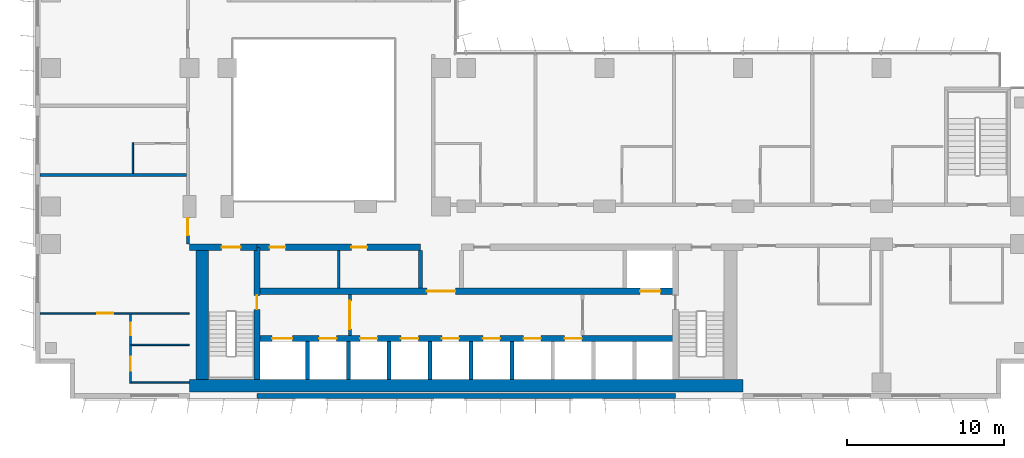
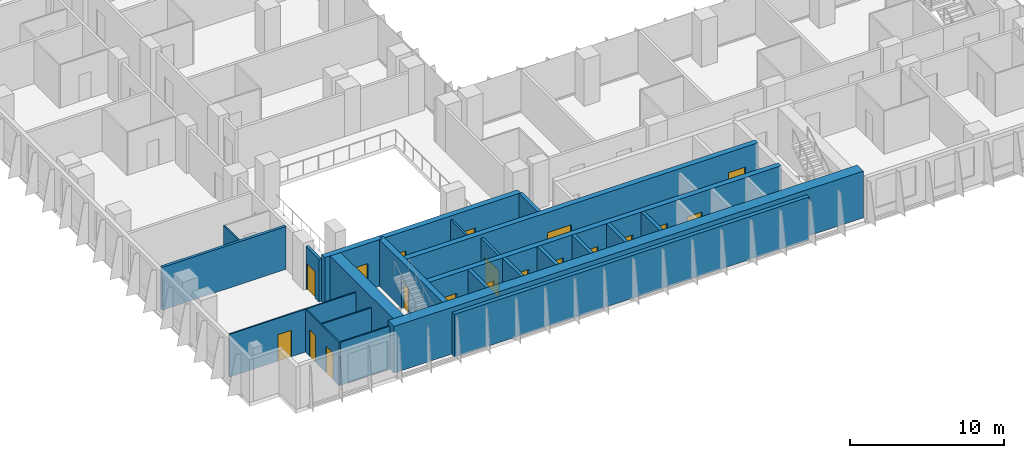
# One storey, part 13 of 22: 24 walls, 19 doors, 19 openings.
"""IFC4 building model written with IfcOpenShell, lengths in metres."""

from ifc_helpers import new_model, si_unit, direction, frame, frame_2d, origin, place, context, subcontext, project, spatial, rectangle, extrude, material, layer, layer_set, type_object, element, fill, save


model = new_model("IFC4")

# Units and contexts
model_context = context("Model", 3, precision=1e-05, world=origin(), true_north=direction((0.0, 1.0)))
body_context = subcontext(model_context, "Body", "Model", "MODEL_VIEW")
ifc_project = project(units=[si_unit("LENGTHUNIT", "METRE"), si_unit("AREAUNIT", "SQUARE_METRE"), si_unit("VOLUMEUNIT", "CUBIC_METRE"), si_unit("PLANEANGLEUNIT", "RADIAN"), si_unit("MASSUNIT", "GRAM", prefix="KILO")], contexts=[model_context])

# Site, building, storey
site_placement = place(None, origin())
site = spatial("IfcSite", under=ifc_project, at=site_placement, CompositionType="ELEMENT")
building_placement = place(site_placement, origin())
building = spatial("IfcBuilding", under=site, at=building_placement, Name="Kemantara Hotel Tower", CompositionType="ELEMENT")
storey_placement = place(building_placement, frame((0.0, 0.0, 87.10009765625)))
storey = spatial("IfcBuildingStorey", under=building, at=storey_placement, Name="L20", CompositionType="ELEMENT", Elevation=87.10009765625)

# Walls
ifc_material_1 = material(Name="Bronze anodised aluminium cladding on insulated steel stud wall", Category="steel")
ifc_layer_1 = layer(ifc_material_1, 0.300048828125)
ifc_layer_set_1 = layer_set([ifc_layer_1], Name="Bronze anodised aluminium cladding on insulated steel stud wall")
wall_type_1 = type_object("IfcWallType", Name="BRONZE METAL-CLAD EXTERNAL WALL 300", PredefinedType="STANDARD", material=ifc_layer_set_1)
wall_1_placement = place(storey_placement, frame((14.10009765625, 0.14990234375, 0.0), z_axis=(0.0, 0.0, 1.0), x_axis=(1.0, 0.0, 0.0)))
element("IfcWall", 1, at=wall_1_placement, inside=storey, type_object=wall_type_1, Name="EXTERNAL WALL L20 T2-R07-2", PredefinedType="STANDARD", context=body_context, shape_type="SweptSolid", body=[
    extrude(rectangle(XDim=26.599853515625, YDim=0.300048828125, at=frame_2d((13.2998046875, 0.0))), origin(), (0.0, 0.0, 1.0), 3.39990234375),
])
ifc_material_2 = material(Name="Concrete fc 70 MPa", Category="concrete")
ifc_layer_2 = layer(ifc_material_2, 0.25)
ifc_layer_set_2 = layer_set([ifc_layer_2], Name="Concrete fc 70 MPa")
wall_type_2 = type_object("IfcWallType", Name="CORE WALL 250 FC70", PredefinedType="SHEAR", material=ifc_layer_set_2)
for number, where, z_axis, x_axis, name in (
    (2, (17.300048828125, 1.199951171875, 0.0), (0.0, 0.0, 1.0), (0.0, 1.0, 0.0), "CORE WALL CW-DS17.3"),
    (3, (19.89990234375, 1.199951171875, 0.0), (0.0, 0.0, 1.0), (0.0, 1.0, 0.0), "CORE WALL CW-DS19.9"),
    (4, (22.5, 1.199951171875, 0.0), (0.0, 0.0, 1.0), (0.0, 1.0, 0.0), "CORE WALL CW-DS22.5"),
    (5, (25.10009765625, 1.199951171875, 0.0), (0.0, 0.0, 1.0), (0.0, 1.0, 0.0), "CORE WALL CW-DS25.1"),
    (6, (27.699951171875, 1.199951171875, 0.0), (0.0, 0.0, 1.0), (0.0, 1.0, 0.0), "CORE WALL CW-DS27.7"),
    (7, (30.300048828125, 1.199951171875, 0.0), (0.0, 0.0, 1.0), (0.0, 1.0, 0.0), "CORE WALL CW-DS30.3"),
):
    element("IfcWall", number, at=place(storey_placement, frame(where, z_axis=z_axis, x_axis=x_axis)), inside=storey, type_object=wall_type_2, Name=name, PredefinedType="SHEAR", context=body_context, shape_type="SweptSolid", body=[
        extrude(rectangle(XDim=2.400146484375, YDim=0.25, at=frame_2d((1.2001953125, 0.0))), origin(), (0.0, 0.0, 1.0), 3.699951171875),
    ])
wall_2_placement = place(storey_placement, frame((24.5, 7.0, 0.0), z_axis=(0.0, 0.0, 1.0), x_axis=(0.0, 1.0, 0.0)))
element("IfcWall", 8, at=wall_2_placement, inside=storey, type_object=wall_type_2, Name="CORE WALL CW-DN24.5", PredefinedType="SHEAR", context=body_context, shape_type="SweptSolid", body=[
    extrude(rectangle(XDim=2.39990234375, YDim=0.25, at=frame_2d((1.199951171875, 0.0))), origin(), (0.0, 0.0, 1.0), 3.699951171875),
])

# Wall, opening, door
ifc_layer_3 = layer(ifc_material_2, 0.39990234375)
ifc_layer_set_3 = layer_set([ifc_layer_3], Name="Concrete fc 70 MPa")
wall_type_3 = type_object("IfcWallType", Name="CORE WALL 400 FC70", PredefinedType="SHEAR", material=ifc_layer_set_3)
wall_3_placement = place(storey_placement, frame((9.800048828125, 9.60009765625, 0.0), z_axis=(0.0, 0.0, 1.0), x_axis=(1.0, 0.0, 0.0)))
wall_3 = element("IfcWall", 9, at=wall_3_placement, inside=storey, type_object=wall_type_3, Name="CORE WALL CW-N1", PredefinedType="SHEAR", context=body_context, shape_type="SweptSolid", body=[
    extrude(rectangle(XDim=4.300048828125, YDim=0.39990234375, at=frame_2d((2.14990234375, 0.0))), origin(), (0.0, 0.0, 1.0), 3.699951171875),
])
opening_1_placement = place(wall_3_placement, frame((2.050048828125, 0.0, 0.0)))
opening_1 = element("IfcOpeningElement", 10, at=opening_1_placement, cuts=wall_3, Name="Opening C15-ST1-C", PredefinedType="OPENING", context=body_context, shape_type="SweptSolid", body=[
    extrude(rectangle(XDim=1.199951171875, YDim=2.10009765625, at=frame_2d((0.60009765625, 1.050048828125))), frame((0.0, 0.2099609375, 0.0), z_axis=(0.0, -1.0, 0.0), x_axis=(1.0, 0.0, 0.0)), (0.0, 0.0, 1.0), 0.419921875),
])
ifc_material_3 = material(Name="Steel fire door", Category="steel")
door_type_1 = type_object("IfcDoorType", Name="Fire door FD90 1200 x 2100", OperationType="NOTDEFINED", PredefinedType="DOOR", material=ifc_material_3)
door_1_placement = place(opening_1_placement, frame((1.199951171875, 0.0, 0.0), z_axis=(0.0, 0.0, 1.0), x_axis=(-1.0, 0.0, 0.0)))
door_1 = element("IfcDoor", 11, at=door_1_placement, inside=storey, type_object=door_type_1, Name="Stair ST1 door to corridor", OperationType="SINGLE_SWING_LEFT", OverallHeight=2.10009765625, OverallWidth=1.199951171875, PredefinedType="DOOR", context=body_context, shape_type="SweptSolid", body=[
    extrude(rectangle(XDim=1.199951171875, YDim=2.10009765625, at=frame_2d((0.60009765625, 1.050048828125))), frame((0.0, 0.02490234375, 0.0), z_axis=(0.0, -1.0, 0.0), x_axis=(1.0, 0.0, 0.0)), (0.0, 0.0, 1.0), 0.050048828125),
])
fill(opening_1, door_1)

# Wall, openings, doors
wall_4_placement = place(storey_placement, frame((14.10009765625, 9.60009765625, 0.0), z_axis=(0.0, 0.0, 1.0), x_axis=(1.0, 0.0, 0.0)))
wall_4 = element("IfcWall", 12, at=wall_4_placement, inside=storey, type_object=wall_type_3, Name="CORE WALL CW-NN1", PredefinedType="SHEAR", context=body_context, shape_type="SweptSolid", body=[
    extrude(rectangle(XDim=10.39990234375, YDim=0.39990234375, at=frame_2d((5.199951171875, 0.0))), origin(), (0.0, 0.0, 1.0), 3.699951171875),
])
opening_2_placement = place(wall_4_placement, frame((0.800048828125, 0.0, 0.0)))
opening_2 = element("IfcOpeningElement", 13, at=opening_2_placement, cuts=wall_4, Name="Opening C15-R-NW1", PredefinedType="OPENING", context=body_context, shape_type="SweptSolid", body=[
    extrude(rectangle(XDim=1.0, YDim=2.10009765625, at=frame_2d((0.5, 1.050048828125))), frame((0.0, 0.2099609375, 0.0), z_axis=(0.0, -1.0, 0.0), x_axis=(1.0, 0.0, 0.0)), (0.0, 0.0, 1.0), 0.419921875),
])
opening_3_placement = place(wall_4_placement, frame((6.0, 0.0, 0.0)))
opening_3 = element("IfcOpeningElement", 14, at=opening_3_placement, cuts=wall_4, Name="Opening C15-R-NW2", PredefinedType="OPENING", context=body_context, shape_type="SweptSolid", body=[
    extrude(rectangle(XDim=1.0, YDim=2.10009765625, at=frame_2d((0.5, 1.050048828125))), frame((0.0, 0.2099609375, 0.0), z_axis=(0.0, -1.0, 0.0), x_axis=(1.0, 0.0, 0.0)), (0.0, 0.0, 1.0), 0.419921875),
])
door_type_2 = type_object("IfcDoorType", Name="Fire door FD30S 1000 x 2100", OperationType="NOTDEFINED", PredefinedType="DOOR", material=ifc_material_3)
door_2_placement = place(opening_2_placement, frame((1.0, 0.0, 0.0), z_axis=(0.0, 0.0, 1.0), x_axis=(-1.0, 0.0, 0.0)))
door_2 = element("IfcDoor", 15, at=door_2_placement, inside=storey, type_object=door_type_2, Name="Housekeeping Store door", OperationType="SINGLE_SWING_RIGHT", OverallHeight=2.10009765625, OverallWidth=1.0, PredefinedType="DOOR", context=body_context, shape_type="SweptSolid", body=[
    extrude(rectangle(XDim=1.0, YDim=2.10009765625, at=frame_2d((0.5, 1.050048828125))), frame((0.0, 0.02490234375, 0.0), z_axis=(0.0, -1.0, 0.0), x_axis=(1.0, 0.0, 0.0)), (0.0, 0.0, 1.0), 0.050048828125),
])
fill(opening_2, door_2)
door_3_placement = place(opening_3_placement, frame((1.0, 0.0, 0.0), z_axis=(0.0, 0.0, 1.0), x_axis=(-1.0, 0.0, 0.0)))
door_3 = element("IfcDoor", 16, at=door_3_placement, inside=storey, type_object=door_type_2, Name="Guest Pantry door", OperationType="SINGLE_SWING_LEFT", OverallHeight=2.10009765625, OverallWidth=1.0, PredefinedType="DOOR", context=body_context, shape_type="SweptSolid", body=[
    extrude(rectangle(XDim=1.0, YDim=2.10009765625, at=frame_2d((0.5, 1.050048828125))), frame((0.0, 0.02490234375, 0.0), z_axis=(0.0, -1.0, 0.0), x_axis=(1.0, 0.0, 0.0)), (0.0, 0.0, 1.0), 0.050048828125),
])
fill(opening_3, door_3)

wall_5_placement = place(storey_placement, frame((14.10009765625, 3.800048828125, 0.0), z_axis=(0.0, 0.0, 1.0), x_axis=(1.0, 0.0, 0.0)))
wall_5 = element("IfcWall", 17, at=wall_5_placement, inside=storey, type_object=wall_type_3, Name="CORE WALL CW-L1", PredefinedType="SHEAR", context=body_context, shape_type="SweptSolid", body=[
    extrude(rectangle(XDim=26.599853515625, YDim=0.39990234375, at=frame_2d((13.2998046875, 0.0))), origin(), (0.0, 0.0, 1.0), 3.699951171875),
])
opening_4_placement = place(wall_5_placement, frame((0.949951171875, 0.0, 0.0)))
opening_4 = element("IfcOpeningElement", 18, at=opening_4_placement, cuts=wall_5, Name="Opening C15-LD-FF1", PredefinedType="OPENING", context=body_context, shape_type="SweptSolid", body=[
    extrude(rectangle(XDim=1.300048828125, YDim=2.10009765625, at=frame_2d((0.64990234375, 1.050048828125))), frame((0.0, 0.2099609375, 0.0), z_axis=(0.0, -1.0, 0.0), x_axis=(1.0, 0.0, 0.0)), (0.0, 0.0, 1.0), 0.419921875),
])
opening_5_placement = place(wall_5_placement, frame((3.949951171875, 0.0, 0.0)))
opening_5 = element("IfcOpeningElement", 19, at=opening_5_placement, cuts=wall_5, Name="Opening C15-LD-SV1", PredefinedType="OPENING", context=body_context, shape_type="SweptSolid", body=[
    extrude(rectangle(XDim=1.10009765625, YDim=2.10009765625, at=frame_2d((0.550048828125, 1.050048828125))), frame((0.0, 0.2099609375, 0.0), z_axis=(0.0, -1.0, 0.0), x_axis=(1.0, 0.0, 0.0)), (0.0, 0.0, 1.0), 0.419921875),
])
opening_6_placement = place(wall_5_placement, frame((6.550048828125, 0.0, 0.0)))
opening_6 = element("IfcOpeningElement", 20, at=opening_6_placement, cuts=wall_5, Name="Opening C15-LD-SV2", PredefinedType="OPENING", context=body_context, shape_type="SweptSolid", body=[
    extrude(rectangle(XDim=1.10009765625, YDim=2.10009765625, at=frame_2d((0.550048828125, 1.050048828125))), frame((0.0, 0.2099609375, 0.0), z_axis=(0.0, -1.0, 0.0), x_axis=(1.0, 0.0, 0.0)), (0.0, 0.0, 1.0), 0.419921875),
])
opening_7_placement = place(wall_5_placement, frame((9.14990234375, 0.0, 0.0)))
opening_7 = element("IfcOpeningElement", 21, at=opening_7_placement, cuts=wall_5, Name="Opening C15-LD-SV3", PredefinedType="OPENING", context=body_context, shape_type="SweptSolid", body=[
    extrude(rectangle(XDim=1.10009765625, YDim=2.10009765625, at=frame_2d((0.550048828125, 1.050048828125))), frame((0.0, 0.2099609375, 0.0), z_axis=(0.0, -1.0, 0.0), x_axis=(1.0, 0.0, 0.0)), (0.0, 0.0, 1.0), 0.419921875),
])
opening_8_placement = place(wall_5_placement, frame((11.75, 0.0, 0.0)))
opening_8 = element("IfcOpeningElement", 22, at=opening_8_placement, cuts=wall_5, Name="Opening C15-LD-LR1", PredefinedType="OPENING", context=body_context, shape_type="SweptSolid", body=[
    extrude(rectangle(XDim=1.10009765625, YDim=2.10009765625, at=frame_2d((0.550048828125, 1.050048828125))), frame((0.0, 0.2099609375, 0.0), z_axis=(0.0, -1.0, 0.0), x_axis=(1.0, 0.0, 0.0)), (0.0, 0.0, 1.0), 0.419921875),
])
opening_9_placement = place(wall_5_placement, frame((14.35009765625, 0.0, 0.0)))
opening_9 = element("IfcOpeningElement", 23, at=opening_9_placement, cuts=wall_5, Name="Opening C15-LD-LR2", PredefinedType="OPENING", context=body_context, shape_type="SweptSolid", body=[
    extrude(rectangle(XDim=1.10009765625, YDim=2.10009765625, at=frame_2d((0.550048828125, 1.050048828125))), frame((0.0, 0.2099609375, 0.0), z_axis=(0.0, -1.0, 0.0), x_axis=(1.0, 0.0, 0.0)), (0.0, 0.0, 1.0), 0.419921875),
])
opening_10_placement = place(wall_5_placement, frame((16.949951171875, 0.0, 0.0)))
opening_10 = element("IfcOpeningElement", 24, at=opening_10_placement, cuts=wall_5, Name="Opening C15-LD-LR3", PredefinedType="OPENING", context=body_context, shape_type="SweptSolid", body=[
    extrude(rectangle(XDim=1.10009765625, YDim=2.10009765625, at=frame_2d((0.550048828125, 1.050048828125))), frame((0.0, 0.2099609375, 0.0), z_axis=(0.0, -1.0, 0.0), x_axis=(1.0, 0.0, 0.0)), (0.0, 0.0, 1.0), 0.419921875),
])
opening_11_placement = place(wall_5_placement, frame((19.550048828125, 0.0, 0.0)))
opening_11 = element("IfcOpeningElement", 25, at=opening_11_placement, cuts=wall_5, Name="Opening C15-LD-LR4", PredefinedType="OPENING", context=body_context, shape_type="SweptSolid", body=[
    extrude(rectangle(XDim=1.10009765625, YDim=2.10009765625, at=frame_2d((0.550048828125, 1.050048828125))), frame((0.0, 0.2099609375, 0.0), z_axis=(0.0, -1.0, 0.0), x_axis=(1.0, 0.0, 0.0)), (0.0, 0.0, 1.0), 0.419921875),
])
ifc_material_4 = material(Name="Stainless steel lift door", Category="steel")
door_type_3 = type_object("IfcDoorType", Name="Lift landing door 1100 x 2100 FD60", OperationType="DOUBLE_DOOR_SLIDING", PredefinedType="DOOR", material=ifc_material_4)
door_4_placement = place(opening_5_placement, origin())
door_4 = element("IfcDoor", 26, at=door_4_placement, inside=storey, type_object=door_type_3, Name="Lift SV1 landing door", OperationType="DOUBLE_DOOR_SLIDING", OverallHeight=2.10009765625, OverallWidth=1.10009765625, PredefinedType="DOOR", context=body_context, shape_type="SweptSolid", body=[
    extrude(rectangle(XDim=1.10009765625, YDim=2.10009765625, at=frame_2d((0.550048828125, 1.050048828125))), frame((0.0, 0.02490234375, 0.0), z_axis=(0.0, -1.0, 0.0), x_axis=(1.0, 0.0, 0.0)), (0.0, 0.0, 1.0), 0.050048828125),
])
fill(opening_5, door_4)
door_5_placement = place(opening_6_placement, origin())
door_5 = element("IfcDoor", 27, at=door_5_placement, inside=storey, type_object=door_type_3, Name="Lift SV2 landing door", OperationType="DOUBLE_DOOR_SLIDING", OverallHeight=2.10009765625, OverallWidth=1.10009765625, PredefinedType="DOOR", context=body_context, shape_type="SweptSolid", body=[
    extrude(rectangle(XDim=1.10009765625, YDim=2.10009765625, at=frame_2d((0.550048828125, 1.050048828125))), frame((0.0, 0.02490234375, 0.0), z_axis=(0.0, -1.0, 0.0), x_axis=(1.0, 0.0, 0.0)), (0.0, 0.0, 1.0), 0.050048828125),
])
fill(opening_6, door_5)
door_6_placement = place(opening_7_placement, origin())
door_6 = element("IfcDoor", 28, at=door_6_placement, inside=storey, type_object=door_type_3, Name="Lift SV3 landing door", OperationType="DOUBLE_DOOR_SLIDING", OverallHeight=2.10009765625, OverallWidth=1.10009765625, PredefinedType="DOOR", context=body_context, shape_type="SweptSolid", body=[
    extrude(rectangle(XDim=1.10009765625, YDim=2.10009765625, at=frame_2d((0.550048828125, 1.050048828125))), frame((0.0, 0.02490234375, 0.0), z_axis=(0.0, -1.0, 0.0), x_axis=(1.0, 0.0, 0.0)), (0.0, 0.0, 1.0), 0.050048828125),
])
fill(opening_7, door_6)
door_7_placement = place(opening_8_placement, origin())
door_7 = element("IfcDoor", 29, at=door_7_placement, inside=storey, type_object=door_type_3, Name="Lift LR1 landing door", OperationType="DOUBLE_DOOR_SLIDING", OverallHeight=2.10009765625, OverallWidth=1.10009765625, PredefinedType="DOOR", context=body_context, shape_type="SweptSolid", body=[
    extrude(rectangle(XDim=1.10009765625, YDim=2.10009765625, at=frame_2d((0.550048828125, 1.050048828125))), frame((0.0, 0.02490234375, 0.0), z_axis=(0.0, -1.0, 0.0), x_axis=(1.0, 0.0, 0.0)), (0.0, 0.0, 1.0), 0.050048828125),
])
fill(opening_8, door_7)
door_8_placement = place(opening_9_placement, origin())
door_8 = element("IfcDoor", 30, at=door_8_placement, inside=storey, type_object=door_type_3, Name="Lift LR2 landing door", OperationType="DOUBLE_DOOR_SLIDING", OverallHeight=2.10009765625, OverallWidth=1.10009765625, PredefinedType="DOOR", context=body_context, shape_type="SweptSolid", body=[
    extrude(rectangle(XDim=1.10009765625, YDim=2.10009765625, at=frame_2d((0.550048828125, 1.050048828125))), frame((0.0, 0.02490234375, 0.0), z_axis=(0.0, -1.0, 0.0), x_axis=(1.0, 0.0, 0.0)), (0.0, 0.0, 1.0), 0.050048828125),
])
fill(opening_9, door_8)
door_9_placement = place(opening_10_placement, origin())
door_9 = element("IfcDoor", 31, at=door_9_placement, inside=storey, type_object=door_type_3, Name="Lift LR3 landing door", OperationType="DOUBLE_DOOR_SLIDING", OverallHeight=2.10009765625, OverallWidth=1.10009765625, PredefinedType="DOOR", context=body_context, shape_type="SweptSolid", body=[
    extrude(rectangle(XDim=1.10009765625, YDim=2.10009765625, at=frame_2d((0.550048828125, 1.050048828125))), frame((0.0, 0.02490234375, 0.0), z_axis=(0.0, -1.0, 0.0), x_axis=(1.0, 0.0, 0.0)), (0.0, 0.0, 1.0), 0.050048828125),
])
fill(opening_10, door_9)
door_10_placement = place(opening_11_placement, origin())
door_10 = element("IfcDoor", 32, at=door_10_placement, inside=storey, type_object=door_type_3, Name="Lift LR4 landing door", OperationType="DOUBLE_DOOR_SLIDING", OverallHeight=2.10009765625, OverallWidth=1.10009765625, PredefinedType="DOOR", context=body_context, shape_type="SweptSolid", body=[
    extrude(rectangle(XDim=1.10009765625, YDim=2.10009765625, at=frame_2d((0.550048828125, 1.050048828125))), frame((0.0, 0.02490234375, 0.0), z_axis=(0.0, -1.0, 0.0), x_axis=(1.0, 0.0, 0.0)), (0.0, 0.0, 1.0), 0.050048828125),
])
fill(opening_11, door_10)
door_type_4 = type_object("IfcDoorType", Name="Lift landing door 1300 x 2100 FD90", OperationType="DOUBLE_DOOR_SLIDING", PredefinedType="DOOR", material=ifc_material_4)
door_11_placement = place(opening_4_placement, origin())
door_11 = element("IfcDoor", 33, at=door_11_placement, inside=storey, type_object=door_type_4, Name="Lift FF1 landing door", OperationType="DOUBLE_DOOR_SLIDING", OverallHeight=2.10009765625, OverallWidth=1.300048828125, PredefinedType="DOOR", context=body_context, shape_type="SweptSolid", body=[
    extrude(rectangle(XDim=1.300048828125, YDim=2.10009765625, at=frame_2d((0.64990234375, 1.050048828125))), frame((0.0, 0.02490234375, 0.0), z_axis=(0.0, -1.0, 0.0), x_axis=(1.0, 0.0, 0.0)), (0.0, 0.0, 1.0), 0.050048828125),
])
fill(opening_4, door_11)

wall_6_placement = place(storey_placement, frame((14.10009765625, 6.800048828125, 0.0), z_axis=(0.0, 0.0, 1.0), x_axis=(1.0, 0.0, 0.0)))
wall_6 = element("IfcWall", 34, at=wall_6_placement, inside=storey, type_object=wall_type_3, Name="CORE WALL CW-L2", PredefinedType="SHEAR", context=body_context, shape_type="SweptSolid", body=[
    extrude(rectangle(XDim=26.599853515625, YDim=0.39990234375, at=frame_2d((13.2998046875, 0.0))), origin(), (0.0, 0.0, 1.0), 3.699951171875),
])
opening_12_placement = place(wall_6_placement, frame((10.800048828125, 0.0, 0.0)))
opening_12 = element("IfcOpeningElement", 35, at=opening_12_placement, cuts=wall_6, Name="Opening C15-VL", PredefinedType="OPENING", context=body_context, shape_type="SweptSolid", body=[
    extrude(rectangle(XDim=1.800048828125, YDim=2.10009765625, at=frame_2d((0.89990234375, 1.050048828125))), frame((0.0, 0.2099609375, 0.0), z_axis=(0.0, -1.0, 0.0), x_axis=(1.0, 0.0, 0.0)), (0.0, 0.0, 1.0), 0.419921875),
])
opening_13_placement = place(wall_6_placement, frame((24.35009765625, 0.0, 0.0)))
opening_13 = element("IfcOpeningElement", 36, at=opening_13_placement, cuts=wall_6, Name="Opening C15-LD-FF2", PredefinedType="OPENING", context=body_context, shape_type="SweptSolid", body=[
    extrude(rectangle(XDim=1.300048828125, YDim=2.10009765625, at=frame_2d((0.64990234375, 1.050048828125))), frame((0.0, 0.2099609375, 0.0), z_axis=(0.0, -1.0, 0.0), x_axis=(1.0, 0.0, 0.0)), (0.0, 0.0, 1.0), 0.419921875),
])
door_type_5 = type_object("IfcDoorType", Name="Fire door pair FD60 1800 x 2100", OperationType="DOUBLE_DOOR_SINGLE_SWING", PredefinedType="DOOR", material=ifc_material_3)
door_12_placement = place(opening_12_placement, frame((1.800048828125, 0.0, 0.0), z_axis=(0.0, 0.0, 1.0), x_axis=(-1.0, 0.0, 0.0)))
door_12 = element("IfcDoor", 37, at=door_12_placement, inside=storey, type_object=door_type_5, Name="Lift lobby entry door", OperationType="DOUBLE_DOOR_SINGLE_SWING", OverallHeight=2.10009765625, OverallWidth=1.800048828125, PredefinedType="DOOR", context=body_context, shape_type="SweptSolid", body=[
    extrude(rectangle(XDim=1.800048828125, YDim=2.10009765625, at=frame_2d((0.89990234375, 1.050048828125))), frame((0.0, 0.02490234375, 0.0), z_axis=(0.0, -1.0, 0.0), x_axis=(1.0, 0.0, 0.0)), (0.0, 0.0, 1.0), 0.050048828125),
])
fill(opening_12, door_12)
door_13_placement = place(opening_13_placement, origin())
door_13 = element("IfcDoor", 38, at=door_13_placement, inside=storey, type_object=door_type_4, Name="Lift FF2 landing door", OperationType="DOUBLE_DOOR_SLIDING", OverallHeight=2.10009765625, OverallWidth=1.300048828125, PredefinedType="DOOR", context=body_context, shape_type="SweptSolid", body=[
    extrude(rectangle(XDim=1.300048828125, YDim=2.10009765625, at=frame_2d((0.64990234375, 1.050048828125))), frame((0.0, 0.02490234375, 0.0), z_axis=(0.0, -1.0, 0.0), x_axis=(1.0, 0.0, 0.0)), (0.0, 0.0, 1.0), 0.050048828125),
])
fill(opening_13, door_13)

# Wall, opening, door
wall_7_placement = place(storey_placement, frame((14.10009765625, 1.199951171875, 0.0), z_axis=(0.0, 0.0, 1.0), x_axis=(0.0, 1.0, 0.0)))
wall_7 = element("IfcWall", 39, at=wall_7_placement, inside=storey, type_object=wall_type_3, Name="CORE WALL CW-ST1E", PredefinedType="SHEAR", context=body_context, shape_type="SweptSolid", body=[
    extrude(rectangle(XDim=8.400146484375, YDim=0.39990234375, at=frame_2d((4.2001953125, 0.0))), origin(), (0.0, 0.0, 1.0), 3.699951171875),
])
opening_14_placement = place(wall_7_placement, frame((4.449951171875, 0.0, 0.0)))
opening_14 = element("IfcOpeningElement", 40, at=opening_14_placement, cuts=wall_7, Name="Opening C15-ST1-F", PredefinedType="OPENING", context=body_context, shape_type="SweptSolid", body=[
    extrude(rectangle(XDim=0.89990234375, YDim=2.10009765625, at=frame_2d((0.449951171875, 1.050048828125))), frame((0.0, 0.2099609375, 0.0), z_axis=(0.0, -1.0, 0.0), x_axis=(1.0, 0.0, 0.0)), (0.0, 0.0, 1.0), 0.419921875),
])
door_type_6 = type_object("IfcDoorType", Name="Fire door FD90 900 x 2100", OperationType="NOTDEFINED", PredefinedType="DOOR", material=ifc_material_3)
door_14_placement = place(opening_14_placement, origin())
door_14 = element("IfcDoor", 41, at=door_14_placement, inside=storey, type_object=door_type_6, Name="Stair ST1 door to firefighting lobby", OperationType="SINGLE_SWING_RIGHT", OverallHeight=2.10009765625, OverallWidth=0.89990234375, PredefinedType="DOOR", context=body_context, shape_type="SweptSolid", body=[
    extrude(rectangle(XDim=0.89990234375, YDim=2.10009765625, at=frame_2d((0.449951171875, 1.050048828125))), frame((0.0, 0.02490234375, 0.0), z_axis=(0.0, -1.0, 0.0), x_axis=(1.0, 0.0, 0.0)), (0.0, 0.0, 1.0), 0.050048828125),
])
fill(opening_14, door_14)

# Walls
ifc_layer_4 = layer(ifc_material_2, 0.800048828125)
ifc_layer_set_4 = layer_set([ifc_layer_4], Name="Concrete fc 70 MPa")
wall_type_4 = type_object("IfcWallType", Name="CORE WALL 800 FC70", PredefinedType="SHEAR", material=ifc_layer_set_4)
wall_8_placement = place(storey_placement, frame((9.800048828125, 0.800048828125, 0.0), z_axis=(0.0, 0.0, 1.0), x_axis=(1.0, 0.0, 0.0)))
element("IfcWall", 42, at=wall_8_placement, inside=storey, type_object=wall_type_4, Name="CORE WALL CW-S", PredefinedType="SHEAR", context=body_context, shape_type="SweptSolid", body=[
    extrude(rectangle(XDim=35.199951171875, YDim=0.800048828125, at=frame_2d((17.60009765625, 0.0))), origin(), (0.0, 0.0, 1.0), 3.699951171875),
])
wall_9_placement = place(storey_placement, frame((10.60009765625, 1.199951171875, 0.0), z_axis=(0.0, 0.0, 1.0), x_axis=(0.0, 1.0, 0.0)))
element("IfcWall", 43, at=wall_9_placement, inside=storey, type_object=wall_type_4, Name="CORE WALL CW-W", PredefinedType="SHEAR", context=body_context, shape_type="SweptSolid", body=[
    extrude(rectangle(XDim=8.60009765625, YDim=0.800048828125, at=frame_2d((4.300048828125, 0.0))), origin(), (0.0, 0.0, 1.0), 3.699951171875),
])

# Wall, opening, door
ifc_material_5 = material(Name="Gypsum board partition, steel studs and mineral wool, 200 mm", Category="steel")
ifc_layer_5 = layer(ifc_material_5, 0.199951171875)
ifc_layer_set_5 = layer_set([ifc_layer_5], Name="Gypsum board partition, steel studs and mineral wool, 200 mm")
wall_type_5 = type_object("IfcWallType", Name="CORRIDOR WALL 200", PredefinedType="PARTITIONING", material=ifc_layer_set_5)
wall_10_placement = place(storey_placement, frame((9.699951171875, 9.800048828125, 0.0), z_axis=(0.0, 0.0, 1.0), x_axis=(0.0, 1.0, 0.0)))
wall_10 = element("IfcWall", 44, at=wall_10_placement, inside=storey, type_object=wall_type_5, Name="CORRIDOR WALL 200 014", PredefinedType="PARTITIONING", context=body_context, shape_type="SweptSolid", body=[
    extrude(rectangle(XDim=1.699951171875, YDim=0.199951171875, at=frame_2d((0.85009765625, 0.0))), origin(), (0.0, 0.0, 1.0), 3.39990234375),
])
opening_15_placement = place(wall_10_placement, frame((0.550048828125, 0.0, 0.0)))
opening_15 = element("IfcOpeningElement", 45, at=opening_15_placement, cuts=wall_10, Name="Opening F07-013", PredefinedType="OPENING", context=body_context, shape_type="SweptSolid", body=[
    extrude(rectangle(XDim=1.10009765625, YDim=2.10009765625, at=frame_2d((0.550048828125, 1.050048828125))), frame((0.0, 0.10986328125, 0.0), z_axis=(0.0, -1.0, 0.0), x_axis=(1.0, 0.0, 0.0)), (0.0, 0.0, 1.0), 0.219970703125),
])
ifc_material_6 = material(Name="Hardwood veneer door leaf with steel frame", Category="steel")
door_type_7 = type_object("IfcDoorType", Name="SUITE ENTRANCE DOOR 1100 X 2100 FD30S", OperationType="NOTDEFINED", PredefinedType="DOOR", material=ifc_material_6)
door_15_placement = place(opening_15_placement, origin())
door_15 = element("IfcDoor", 46, at=door_15_placement, inside=storey, type_object=door_type_7, Name="SUITE ENTRANCE DOOR F07-013", OperationType="SINGLE_SWING_RIGHT", OverallHeight=2.10009765625, OverallWidth=1.10009765625, PredefinedType="DOOR", context=body_context, shape_type="SweptSolid", body=[
    extrude(rectangle(XDim=1.10009765625, YDim=2.10009765625, at=frame_2d((0.550048828125, 1.050048828125))), frame((0.0, 0.02490234375, 0.0), z_axis=(0.0, -1.0, 0.0), x_axis=(1.0, 0.0, 0.0)), (0.0, 0.0, 1.0), 0.050048828125),
])
fill(opening_15, door_15)

# Walls
ifc_layer_6 = layer(ifc_material_5, 0.199951171875)
ifc_layer_set_6 = layer_set([ifc_layer_6], Name="Gypsum board partition, steel studs and mineral wool, 200 mm")
wall_type_6 = type_object("IfcWallType", Name="GUEST ROOM PARTY WALL 200", PredefinedType="PARTITIONING", material=ifc_layer_set_6)
wall_11_placement = place(storey_placement, frame((0.31005859375, 14.199951171875, 0.0), z_axis=(0.0, 0.0, 1.0), x_axis=(1.0, 0.0, 0.0)))
element("IfcWall", 47, at=wall_11_placement, inside=storey, type_object=wall_type_6, Name="GUEST ROOM PARTY WALL 200 023", PredefinedType="PARTITIONING", context=body_context, shape_type="SweptSolid", body=[
    extrude(rectangle(XDim=9.2900390625, YDim=0.199951171875, at=frame_2d((4.64501953125, 0.0))), origin(), (0.0, 0.0, 1.0), 3.39990234375),
])
ifc_material_7 = material(Name="Gypsum board partition")
ifc_layer_7 = layer(ifc_material_7, 0.14990234375)
ifc_layer_set_7 = layer_set([ifc_layer_7], Name="Gypsum board partition")
wall_type_7 = type_object("IfcWallType", Name="Gypsum board partition 150 mm", PredefinedType="PARTITIONING", material=ifc_layer_set_7)
wall_12_placement = place(storey_placement, frame((19.300048828125, 7.0, 0.0), z_axis=(0.0, 0.0, 1.0), x_axis=(0.0, 1.0, 0.0)))
element("IfcWall", 48, at=wall_12_placement, inside=storey, type_object=wall_type_7, Name="Core room partition", PredefinedType="PARTITIONING", context=body_context, shape_type="SweptSolid", body=[
    extrude(rectangle(XDim=2.39990234375, YDim=0.14990234375, at=frame_2d((1.199951171875, 0.0))), origin(), (0.0, 0.0, 1.0), 3.39990234375),
])

# Wall, opening, door
ifc_material_8 = material(Name="Gypsum board shaft wall")
ifc_layer_8 = layer(ifc_material_8, 0.199951171875)
ifc_layer_set_8 = layer_set([ifc_layer_8], Name="Gypsum board shaft wall")
wall_type_8 = type_object("IfcWallType", Name="Gypsum board shaft wall 200 mm", PredefinedType="PARTITIONING", material=ifc_layer_set_8)
wall_13_placement = place(storey_placement, frame((20.0, 4.0, 0.0), z_axis=(0.0, 0.0, 1.0), x_axis=(0.0, 1.0, 0.0)))
wall_13 = element("IfcWall", 49, at=wall_13_placement, inside=storey, type_object=wall_type_8, Name="Firefighting lobby partition west", PredefinedType="PARTITIONING", context=body_context, shape_type="SweptSolid", body=[
    extrude(rectangle(XDim=2.60009765625, YDim=0.199951171875, at=frame_2d((1.300048828125, 0.0))), origin(), (0.0, 0.0, 1.0), 3.39990234375),
])
opening_16_placement = place(wall_13_placement, frame((0.39990234375, 0.0, 0.0)))
opening_16 = element("IfcOpeningElement", 50, at=opening_16_placement, cuts=wall_13, Name="Opening C15-FFW", PredefinedType="OPENING", context=body_context, shape_type="SweptSolid", body=[
    extrude(rectangle(XDim=1.800048828125, YDim=2.10009765625, at=frame_2d((0.89990234375, 1.050048828125))), frame((0.0, 0.10986328125, 0.0), z_axis=(0.0, -1.0, 0.0), x_axis=(1.0, 0.0, 0.0)), (0.0, 0.0, 1.0), 0.219970703125),
])
door_16_placement = place(opening_16_placement, origin())
door_16 = element("IfcDoor", 51, at=door_16_placement, inside=storey, type_object=door_type_5, Name="Firefighting lobby door west", OperationType="DOUBLE_DOOR_SINGLE_SWING", OverallHeight=2.10009765625, OverallWidth=1.800048828125, PredefinedType="DOOR", context=body_context, shape_type="SweptSolid", body=[
    extrude(rectangle(XDim=1.800048828125, YDim=2.10009765625, at=frame_2d((0.89990234375, 1.050048828125))), frame((0.0, 0.02490234375, 0.0), z_axis=(0.0, -1.0, 0.0), x_axis=(1.0, 0.0, 0.0)), (0.0, 0.0, 1.0), 0.050048828125),
])
fill(opening_16, door_16)

# Wall, openings, doors
ifc_material_9 = material(Name="Gypsum board partition on steel studs, 100 mm", Category="steel")
ifc_layer_9 = layer(ifc_material_9, 0.10009765625)
ifc_layer_set_9 = layer_set([ifc_layer_9], Name="Gypsum board partition on steel studs, 100 mm")
wall_type_9 = type_object("IfcWallType", Name="ROOM PARTITION 100", PredefinedType="PARTITIONING", material=ifc_layer_set_9)
wall_14_placement = place(storey_placement, frame((6.050048828125, 5.35009765625, 0.0), z_axis=(0.0, 0.0, 1.0), x_axis=(0.0, -1.0, 0.0)))
wall_14 = element("IfcWall", 52, at=wall_14_placement, inside=storey, type_object=wall_type_9, Name="ROOM PARTITION 100 060", PredefinedType="PARTITIONING", context=body_context, shape_type="SweptSolid", body=[
    extrude(rectangle(XDim=4.400146484375, YDim=0.10009765625, at=frame_2d((2.2001953125, 0.0))), origin(), (0.0, 0.0, 1.0), 3.39990234375),
])
opening_17_placement = place(wall_14_placement, frame((2.699951171875, 0.0, 0.0)))
opening_17 = element("IfcOpeningElement", 53, at=opening_17_placement, cuts=wall_14, Name="Opening F07-015", PredefinedType="OPENING", context=body_context, shape_type="SweptSolid", body=[
    extrude(rectangle(XDim=0.89990234375, YDim=2.10009765625, at=frame_2d((0.449951171875, 1.050048828125))), frame((0.0, 0.06005859375, 0.0), z_axis=(0.0, -1.0, 0.0), x_axis=(1.0, 0.0, 0.0)), (0.0, 0.0, 1.0), 0.1201171875),
])
opening_18_placement = place(wall_14_placement, frame((0.550048828125, 0.0, 0.0)))
opening_18 = element("IfcOpeningElement", 54, at=opening_18_placement, cuts=wall_14, Name="Opening F07-016", PredefinedType="OPENING", context=body_context, shape_type="SweptSolid", body=[
    extrude(rectangle(XDim=0.800048828125, YDim=2.10009765625, at=frame_2d((0.39990234375, 1.050048828125))), frame((0.0, 0.06005859375, 0.0), z_axis=(0.0, -1.0, 0.0), x_axis=(1.0, 0.0, 0.0)), (0.0, 0.0, 1.0), 0.1201171875),
])
door_type_8 = type_object("IfcDoorType", Name="BATHROOM DOOR 900 X 2100", OperationType="NOTDEFINED", PredefinedType="DOOR", material=ifc_material_6)
door_17_placement = place(opening_17_placement, origin())
door_17 = element("IfcDoor", 55, at=door_17_placement, inside=storey, type_object=door_type_8, Name="BATHROOM DOOR F07-015", OperationType="SINGLE_SWING_LEFT", OverallHeight=2.10009765625, OverallWidth=0.89990234375, PredefinedType="DOOR", context=body_context, shape_type="SweptSolid", body=[
    extrude(rectangle(XDim=0.89990234375, YDim=2.10009765625, at=frame_2d((0.449951171875, 1.050048828125))), frame((0.0, 0.02490234375, 0.0), z_axis=(0.0, -1.0, 0.0), x_axis=(1.0, 0.0, 0.0)), (0.0, 0.0, 1.0), 0.050048828125),
])
fill(opening_17, door_17)
door_type_9 = type_object("IfcDoorType", Name="WARDROBE DOOR 800 X 2100", OperationType="NOTDEFINED", PredefinedType="DOOR", material=ifc_material_6)
door_18_placement = place(opening_18_placement, origin())
door_18 = element("IfcDoor", 56, at=door_18_placement, inside=storey, type_object=door_type_9, Name="WARDROBE DOOR F07-016", OperationType="SINGLE_SWING_LEFT", OverallHeight=2.10009765625, OverallWidth=0.800048828125, PredefinedType="DOOR", context=body_context, shape_type="SweptSolid", body=[
    extrude(rectangle(XDim=0.800048828125, YDim=2.10009765625, at=frame_2d((0.39990234375, 1.050048828125))), frame((0.0, 0.02490234375, 0.0), z_axis=(0.0, -1.0, 0.0), x_axis=(1.0, 0.0, 0.0)), (0.0, 0.0, 1.0), 0.050048828125),
])
fill(opening_18, door_18)

# Wall, opening, door
wall_15_placement = place(storey_placement, frame((9.7998046875, 5.39990234375, 0.0), z_axis=(0.0, 0.0, 1.0), x_axis=(-1.0, 0.0, 0.0)))
wall_15 = element("IfcWall", 57, at=wall_15_placement, inside=storey, type_object=wall_type_9, Name="ROOM PARTITION 100 062", PredefinedType="PARTITIONING", context=body_context, shape_type="SweptSolid", body=[
    extrude(rectangle(XDim=9.48974609375, YDim=0.10009765625, at=frame_2d((4.744873046875, 0.0))), origin(), (0.0, 0.0, 1.0), 3.39990234375),
])
opening_19_placement = place(wall_15_placement, frame((4.849853515625, 0.0, 0.0)))
opening_19 = element("IfcOpeningElement", 58, at=opening_19_placement, cuts=wall_15, Name="Opening F07-014", PredefinedType="OPENING", context=body_context, shape_type="SweptSolid", body=[
    extrude(rectangle(XDim=1.0, YDim=2.10009765625, at=frame_2d((0.5, 1.050048828125))), frame((0.0, 0.06005859375, 0.0), z_axis=(0.0, -1.0, 0.0), x_axis=(1.0, 0.0, 0.0)), (0.0, 0.0, 1.0), 0.1201171875),
])
door_type_10 = type_object("IfcDoorType", Name="INTERNAL DOOR 1000 X 2100", OperationType="NOTDEFINED", PredefinedType="DOOR", material=ifc_material_6)
door_19_placement = place(opening_19_placement, origin())
door_19 = element("IfcDoor", 59, at=door_19_placement, inside=storey, type_object=door_type_10, Name="INTERNAL DOOR F07-014", OperationType="SINGLE_SWING_LEFT", OverallHeight=2.10009765625, OverallWidth=1.0, PredefinedType="DOOR", context=body_context, shape_type="SweptSolid", body=[
    extrude(rectangle(XDim=1.0, YDim=2.10009765625, at=frame_2d((0.5, 1.050048828125))), frame((0.0, 0.02490234375, 0.0), z_axis=(0.0, -1.0, 0.0), x_axis=(1.0, 0.0, 0.0)), (0.0, 0.0, 1.0), 0.050048828125),
])
fill(opening_19, door_19)

# Walls
for number, where, z_axis, x_axis, name in (
    (60, (6.10009765625, 1.0, 0.0), (0.0, 0.0, 1.0), (1.0, 0.0, 0.0), "ROOM PARTITION 100 063"),
    (61, (6.10009765625, 3.39990234375, 0.0), (0.0, 0.0, 1.0), (1.0, 0.0, 0.0), "ROOM PARTITION 100 064"),
):
    element("IfcWall", number, at=place(storey_placement, frame(where, z_axis=z_axis, x_axis=x_axis)), inside=storey, type_object=wall_type_9, Name=name, PredefinedType="PARTITIONING", context=body_context, shape_type="SweptSolid", body=[
        extrude(rectangle(XDim=3.69970703125, YDim=0.10009765625, at=frame_2d((1.849853515625, 0.0))), origin(), (0.0, 0.0, 1.0), 3.39990234375),
    ])
wall_16_placement = place(storey_placement, frame((6.199951171875, 14.300048828125, 0.0), z_axis=(0.0, 0.0, 1.0), x_axis=(0.0, 1.0, 0.0)))
element("IfcWall", 62, at=wall_16_placement, inside=storey, type_object=wall_type_9, Name="ROOM PARTITION 100 065", PredefinedType="PARTITIONING", context=body_context, shape_type="SweptSolid", body=[
    extrude(rectangle(XDim=1.949951171875, YDim=0.10009765625, at=frame_2d((0.97509765625, 0.0))), origin(), (0.0, 0.0, 1.0), 3.39990234375),
])

save(model, "model.ifc")
